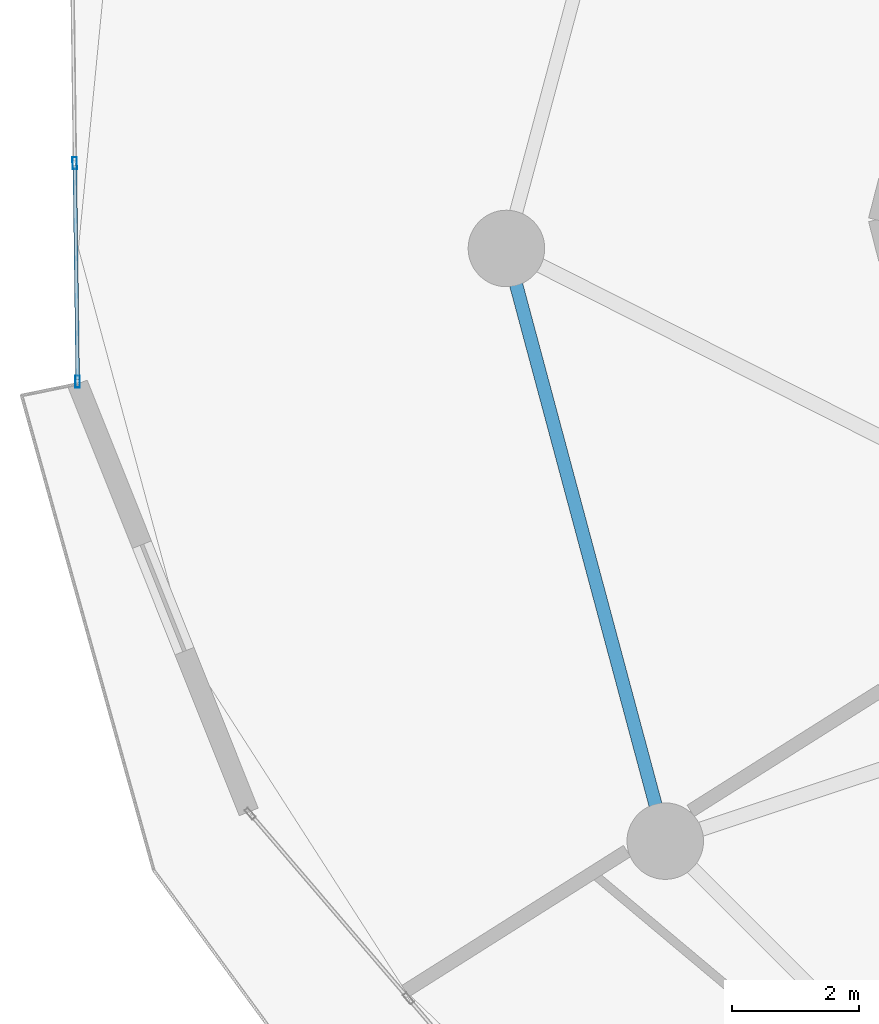
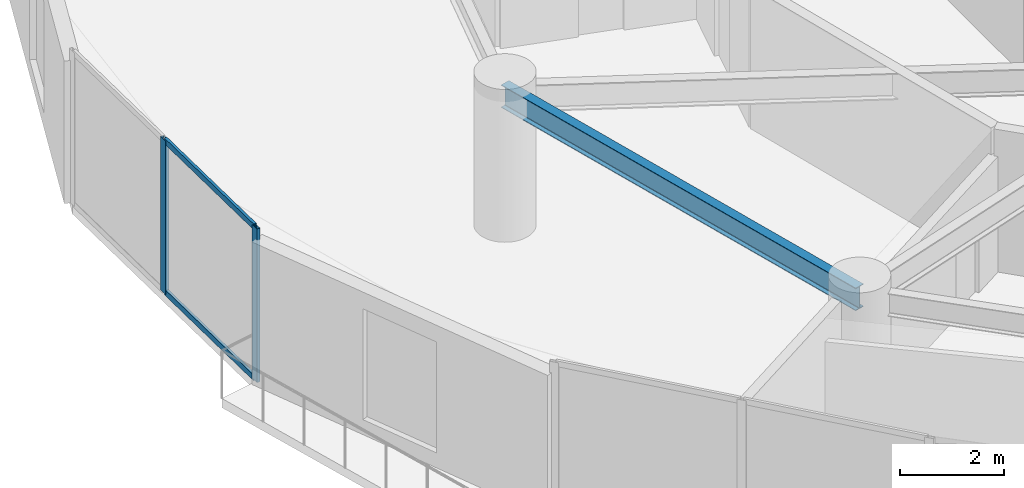
# One storey, part 4 of 23: 4 members, 1 beam, 1 element without a shape of its own.
"""IFC4 building model written with IfcOpenShell, lengths in metres."""

from ifc_helpers import new_model, si_unit, direction, frame, origin, origin_2d, place, context, subcontext, project, spatial, hollow_rectangle, i_section, extrude, source, transform, mapped, material, layer, layer_set, material_profile, profile_set, type_object, element, aggregate, save


model = new_model("IFC4")

# Units and contexts
model_context = context("Model", 3, precision=1e-05, world=origin(), true_north=direction((0.0, 1.0)))
body_context = subcontext(model_context, "Body", "Model", "MODEL_VIEW")
ifc_project = project(units=[si_unit("LENGTHUNIT", "METRE"), si_unit("AREAUNIT", "SQUARE_METRE"), si_unit("VOLUMEUNIT", "CUBIC_METRE"), si_unit("PLANEANGLEUNIT", "RADIAN"), si_unit("MASSUNIT", "GRAM", prefix="KILO")], contexts=[model_context])

# Site, building, storey
site_placement = place(None, origin())
site = spatial("IfcSite", under=ifc_project, at=site_placement, CompositionType="ELEMENT")
building_placement = place(site_placement, origin())
building = spatial("IfcBuilding", under=site, at=building_placement, Name="Solvirekh Grand Hotel", CompositionType="ELEMENT")
storey_placement = place(building_placement, frame((0.0, 0.0, 46.39990234375)))
storey = spatial("IfcBuildingStorey", under=building, at=storey_placement, Name="L10", CompositionType="ELEMENT", Elevation=46.39990234375)

# Beam
ifc_material_1 = material(Name="Steel S355", Category="steel")
ifc_material_profile_1 = material_profile(ifc_material_1, i_section(OverallWidth=0.208984375, OverallDepth=0.532958984375, WebThickness=0.010009765625, FlangeThickness=0.014892578125, FilletRadius=0.013916015625, at=origin_2d()), Name="W530X92")
ifc_profile_set_1 = profile_set([ifc_material_profile_1], Name="Steel S355")
beam_type = type_object("IfcBeamType", Name="Spandrel_Ring_W530", PredefinedType="SPANDREL", material=ifc_profile_set_1)
beam_placement = place(storey_placement, frame((-18.60009765625, 0.0, 3.07421875), z_axis=(0.258842973314, -0.965919414426, 0.0), x_axis=(0.965919414426, 0.258842973314, 0.0)))
element("IfcBeam", 1, at=beam_placement, inside=storey, type_object=beam_type, Name="L10 perimeter spandrel beam 7", PredefinedType="SPANDREL", context=body_context, shape_type="SweptSolid", body=[
    extrude(i_section(OverallWidth=0.208984375, OverallDepth=0.532958984375, WebThickness=0.010009765625, FlangeThickness=0.014892578125, FilletRadius=0.013916015625, at=origin_2d()), origin(), (0.0, 0.0, 1.0), 9.628173828125),
])

# Curtain wall, members
ifc_material_2 = material(Name="Anodized Bronze Aluminium 6063-T6", Category="aluminium")
ifc_layer = layer(ifc_material_2, 0.18994140625)
ifc_layer_set = layer_set([ifc_layer], Name="Anodized Bronze Aluminium 6063-T6")
curtain_wall_type = type_object("IfcCurtainWallType", Name="CW_Sys2_LowZoneFlushBronzeCW", PredefinedType="NOTDEFINED", material=ifc_layer_set)
curtain_wall_placement = place(storey_placement, origin())
curtain_wall = element("IfcCurtainWall", 2, at=curtain_wall_placement, inside=storey, type_object=curtain_wall_type, Name="L10 unitised bronze-glass curtain wall CW-L10-C11", PredefinedType="NOTDEFINED")
ifc_material_profile_2 = material_profile(ifc_material_2, hollow_rectangle(XDim=0.070068359375, YDim=0.18994140625, WallThickness=0.0048828125, at=origin_2d()), Name="ALU RHS 190X70X5")
ifc_profile_set_2 = profile_set([ifc_material_profile_2], Name="Anodized Bronze Aluminium 6063-T6")
member_type_1 = type_object("IfcMemberType", Name="CWMullion_Sys2", PredefinedType="MULLION", material=ifc_profile_set_2)
shared_shape_1 = source(origin(), body_context, "Body", "SweptSolid", [
    extrude(hollow_rectangle(XDim=0.070068359375, YDim=0.18994140625, WallThickness=0.0048828125, at=origin_2d()), origin(), (0.0, 0.0, 1.0), 3.60009765625),
])
member_1_placement = place(storey_placement, frame((-25.3740234375, 1.33740234375, 0.0), z_axis=(0.0, 0.0, 1.0), x_axis=(0.99991176343, 0.013284026319, 0.0)))
member_1 = element("IfcMember", 3, at=member_1_placement, type_object=member_type_1, Name="U02 mullion 2", PredefinedType="MULLION", context=body_context, shape_type="MappedRepresentation", body=[
    mapped(shared_shape_1, transform((0.0, 0.0, 0.0), x_axis=(1.0, 0.0, 0.0), y_axis=(0.0, 1.0, 0.0), z_axis=(0.0, 0.0, 1.0), scale=1.0)),
])
member_2_placement = place(storey_placement, frame((-25.328369140625, -2.090087890625, 0.0), z_axis=(0.0, 0.0, 1.0), x_axis=(0.99991176343, 0.013284026319, 0.0)))
member_2 = element("IfcMember", 4, at=member_2_placement, type_object=member_type_1, Name="U02 mullion 3", PredefinedType="MULLION", context=body_context, shape_type="MappedRepresentation", body=[
    mapped(shared_shape_1, transform((0.0, 0.0, 0.0), x_axis=(1.0, 0.0, 0.0), y_axis=(0.0, 1.0, 0.0), z_axis=(0.0, 0.0, 1.0), scale=1.0)),
])
ifc_material_profile_3 = material_profile(ifc_material_2, hollow_rectangle(XDim=0.06005859375, YDim=0.135009765625, WallThickness=0.00390625, at=origin_2d()), Name="ALU RHS 135X60X4")
ifc_profile_set_3 = profile_set([ifc_material_profile_3], Name="Anodized Bronze Aluminium 6063-T6")
member_type_2 = type_object("IfcMemberType", Name="CWTransom_Sys2", PredefinedType="USERDEFINED", material=ifc_profile_set_3)
shared_shape_2 = source(origin(), body_context, "Body", "SweptSolid", [
    extrude(hollow_rectangle(XDim=0.06005859375, YDim=0.135009765625, WallThickness=0.00390625, at=origin_2d()), origin(), (0.0, 0.0, 1.0), 3.357666015625),
])
member_3_placement = place(storey_placement, frame((-25.37353515625, 1.302490234375, 0.030029296875), z_axis=(0.013305977261, -0.999911471566, 0.0), x_axis=(0.999911471566, 0.013305977261, 0.0)))
member_3 = element("IfcMember", 5, at=member_3_placement, type_object=member_type_2, Name="U02 transom 2.1", ObjectType="TRANSOM", PredefinedType="USERDEFINED", context=body_context, shape_type="MappedRepresentation", body=[
    mapped(shared_shape_2, transform((0.0, 0.0, 0.0), x_axis=(1.0, 0.0, 0.0), y_axis=(0.0, 1.0, 0.0), z_axis=(0.0, 0.0, 1.0), scale=1.0)),
])
member_4_placement = place(storey_placement, frame((-25.37353515625, 1.302490234375, 3.570068359375), z_axis=(0.013305977261, -0.999911471566, 0.0), x_axis=(0.999911471566, 0.013305977261, 0.0)))
member_4 = element("IfcMember", 6, at=member_4_placement, type_object=member_type_2, Name="U02 transom 2.2", ObjectType="TRANSOM", PredefinedType="USERDEFINED", context=body_context, shape_type="MappedRepresentation", body=[
    mapped(shared_shape_2, transform((0.0, 0.0, 0.0), x_axis=(1.0, 0.0, 0.0), y_axis=(0.0, 1.0, 0.0), z_axis=(0.0, 0.0, 1.0), scale=1.0)),
])
aggregate(curtain_wall, [member_1, member_2, member_3, member_4])

save(model, "model.ifc")
